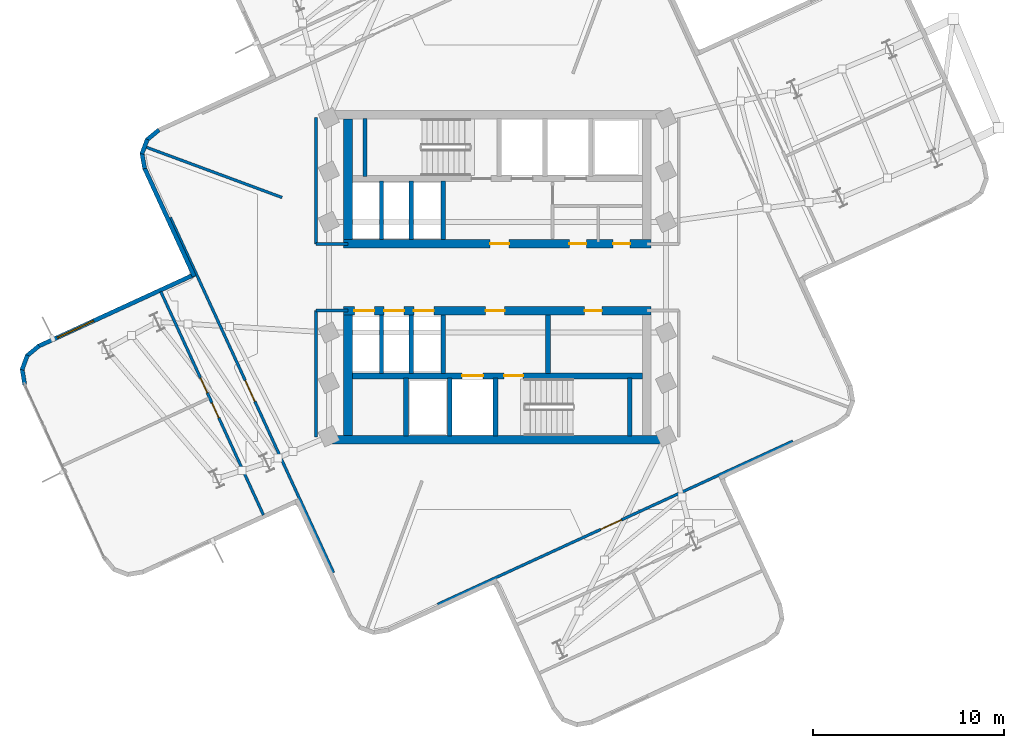
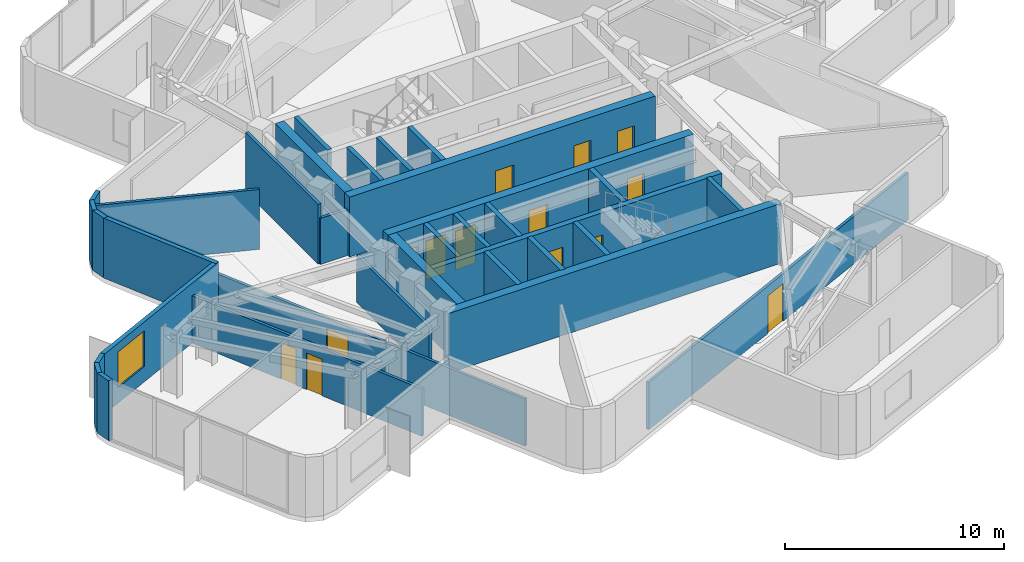
# One storey, part 6 of 11: 34 walls, 14 doors, 1 window, 15 openings.
"""IFC4 building model written with IfcOpenShell, lengths in metres."""

from ifc_helpers import new_model, si_unit, direction, frame, frame_2d, origin, place, context, subcontext, project, spatial, rectangle, extrude, material, layer, layer_set, type_object, element, fill, save


model = new_model("IFC4")

# Units and contexts
model_context = context("Model", 3, precision=1e-05, world=origin(), true_north=direction((0.0, 1.0)))
body_context = subcontext(model_context, "Body", "Model", "MODEL_VIEW")
ifc_project = project(units=[si_unit("LENGTHUNIT", "METRE"), si_unit("AREAUNIT", "SQUARE_METRE"), si_unit("VOLUMEUNIT", "CUBIC_METRE"), si_unit("PLANEANGLEUNIT", "RADIAN"), si_unit("MASSUNIT", "GRAM", prefix="KILO")], contexts=[model_context])

# Site, building, storey
site_placement = place(None, origin())
site = spatial("IfcSite", under=ifc_project, at=site_placement, CompositionType="ELEMENT")
building_placement = place(site_placement, origin())
building = spatial("IfcBuilding", under=site, at=building_placement, Name="Solmarez Civic Tower", CompositionType="ELEMENT")
storey_placement = place(building_placement, frame((0.0, 0.0, 184.679931640625)))
storey = spatial("IfcBuildingStorey", under=building, at=storey_placement, Name="L49", CompositionType="ELEMENT", Elevation=184.679931640625)

# Wall, openings, doors
ifc_material_1 = material(Name="Concrete C50/60", Category="concrete")
ifc_layer_1 = layer(ifc_material_1, 0.449951171875)
ifc_layer_set_1 = layer_set([ifc_layer_1], Name="Concrete C50/60")
wall_type_1 = type_object("IfcWallType", Name="WALL-CORE-450", PredefinedType="SHEAR", material=ifc_layer_set_1)
wall_1_placement = place(storey_placement, frame((8.070068359375, 1.75, 0.0), z_axis=(0.0, 0.0, 1.0), x_axis=(-1.0, 0.0, 0.0)))
wall_1 = element("IfcWall", 1, at=wall_1_placement, inside=storey, type_object=wall_type_1, Name="L49 Split-Core Structural Wall NCW-S-L49", PredefinedType="SHEAR", context=body_context, shape_type="SweptSolid", body=[
    extrude(rectangle(XDim=16.14013671875, YDim=0.449951171875, at=frame_2d((8.070068359375, 0.0))), origin(), (0.0, 0.0, 1.0), 3.340087890625),
])
opening_1_placement = place(wall_1_placement, frame((7.449951171875, 0.0, 0.0)))
opening_1 = element("IfcOpeningElement", 2, at=opening_1_placement, cuts=wall_1, Name="Opening D-04", PredefinedType="OPENING", context=body_context, shape_type="SweptSolid", body=[
    extrude(rectangle(XDim=1.0, YDim=2.10009765625, at=frame_2d((0.5, 1.050048828125))), frame((0.0, 0.23486328125, 0.0), z_axis=(0.0, -1.0, 0.0), x_axis=(1.0, 0.0, 0.0)), (0.0, 0.0, 1.0), 0.469970703125),
])
opening_2_placement = place(wall_1_placement, frame((3.39990234375, 0.0, 0.0)))
opening_2 = element("IfcOpeningElement", 3, at=opening_2_placement, cuts=wall_1, Name="Opening D-09", PredefinedType="OPENING", context=body_context, shape_type="SweptSolid", body=[
    extrude(rectangle(XDim=0.89990234375, YDim=2.06005859375, at=frame_2d((0.449951171875, 1.030029296875))), frame((0.0, 0.23486328125, 0.0), z_axis=(0.0, -1.0, 0.0), x_axis=(1.0, 0.0, 0.0)), (0.0, 0.0, 1.0), 0.469970703125),
])
opening_3_placement = place(wall_1_placement, frame((1.10009765625, 0.0, 0.0)))
opening_3 = element("IfcOpeningElement", 4, at=opening_3_placement, cuts=wall_1, Name="Opening D-09", PredefinedType="OPENING", context=body_context, shape_type="SweptSolid", body=[
    extrude(rectangle(XDim=0.89990234375, YDim=2.06005859375, at=frame_2d((0.449951171875, 1.030029296875))), frame((0.0, 0.23486328125, 0.0), z_axis=(0.0, -1.0, 0.0), x_axis=(1.0, 0.0, 0.0)), (0.0, 0.0, 1.0), 0.469970703125),
])
ifc_material_2 = material(Name="Steel-Faced Acoustic Fire Door", Category="steel")
door_type_1 = type_object("IfcDoorType", Name="DOOR-FD60-1000", OperationType="NOTDEFINED", PredefinedType="DOOR", material=ifc_material_2)
door_1_placement = place(opening_1_placement, origin())
door_1 = element("IfcDoor", 5, at=door_1_placement, inside=storey, type_object=door_type_1, Name="L49 North Firefighting Lobby Door", OperationType="SINGLE_SWING_RIGHT", OverallHeight=2.10009765625, OverallWidth=1.0, PredefinedType="DOOR", context=body_context, shape_type="SweptSolid", body=[
    extrude(rectangle(XDim=1.0, YDim=2.10009765625, at=frame_2d((0.5, 1.050048828125))), frame((0.0, 0.02490234375, 0.0), z_axis=(0.0, -1.0, 0.0), x_axis=(1.0, 0.0, 0.0)), (0.0, 0.0, 1.0), 0.050048828125),
])
fill(opening_1, door_1)
ifc_material_3 = material(Name="Fire-Rated Service Core Door", Category="wood")
door_type_2 = type_object("IfcDoorType", Name="DOOR-FD60-900", OperationType="NOTDEFINED", PredefinedType="DOOR", material=ifc_material_3)
door_2_placement = place(opening_2_placement, origin())
door_2 = element("IfcDoor", 6, at=door_2_placement, inside=storey, type_object=door_type_2, Name="L49 Core WC Door", OperationType="SINGLE_SWING_LEFT", OverallHeight=2.06005859375, OverallWidth=0.89990234375, PredefinedType="DOOR", context=body_context, shape_type="SweptSolid", body=[
    extrude(rectangle(XDim=0.89990234375, YDim=2.06005859375, at=frame_2d((0.449951171875, 1.030029296875))), frame((0.0, 0.02490234375, 0.0), z_axis=(0.0, -1.0, 0.0), x_axis=(1.0, 0.0, 0.0)), (0.0, 0.0, 1.0), 0.050048828125),
])
fill(opening_2, door_2)
door_3_placement = place(opening_3_placement, origin())
door_3 = element("IfcDoor", 7, at=door_3_placement, inside=storey, type_object=door_type_2, Name="L49 Core CL Door", OperationType="SINGLE_SWING_RIGHT", OverallHeight=2.06005859375, OverallWidth=0.89990234375, PredefinedType="DOOR", context=body_context, shape_type="SweptSolid", body=[
    extrude(rectangle(XDim=0.89990234375, YDim=2.06005859375, at=frame_2d((0.449951171875, 1.030029296875))), frame((0.0, 0.02490234375, 0.0), z_axis=(0.0, -1.0, 0.0), x_axis=(1.0, 0.0, 0.0)), (0.0, 0.0, 1.0), 0.050048828125),
])
fill(opening_3, door_3)

# Walls
wall_2_placement = place(storey_placement, frame((-7.844970703125, 1.97509765625, 0.0), z_axis=(0.0, 0.0, 1.0), x_axis=(0.0, 1.0, 0.0)))
element("IfcWall", 8, at=wall_2_placement, inside=storey, type_object=wall_type_1, Name="L49 Split-Core Structural Wall NCW-W-L49", PredefinedType="SHEAR", context=body_context, shape_type="SweptSolid", body=[
    extrude(rectangle(XDim=6.3349609375, YDim=0.449951171875, at=frame_2d((3.16748046875, 0.0))), origin(), (0.0, 0.0, 1.0), 3.340087890625),
])
wall_3_placement = place(storey_placement, frame((8.780029296875, -8.534912109375, 0.0), z_axis=(0.0, 0.0, 1.0), x_axis=(-1.0, 0.0, 0.0)))
element("IfcWall", 9, at=wall_3_placement, inside=storey, type_object=wall_type_1, Name="L49 Split-Core Structural Wall SCW-S-L49", PredefinedType="SHEAR", context=body_context, shape_type="SweptSolid", body=[
    extrude(rectangle(XDim=17.56005859375, YDim=0.449951171875, at=frame_2d((8.780029296875, 0.0))), origin(), (0.0, 0.0, 1.0), 3.340087890625),
])

# Wall, openings, doors
wall_4_placement = place(storey_placement, frame((-8.070068359375, -1.75, 0.0), z_axis=(0.0, 0.0, 1.0), x_axis=(1.0, 0.0, 0.0)))
wall_4 = element("IfcWall", 10, at=wall_4_placement, inside=storey, type_object=wall_type_1, Name="L49 Split-Core Structural Wall SCW-N-L49", PredefinedType="SHEAR", context=body_context, shape_type="SweptSolid", body=[
    extrude(rectangle(XDim=16.14013671875, YDim=0.449951171875, at=frame_2d((8.070068359375, 0.0))), origin(), (0.0, 0.0, 1.0), 3.340087890625),
])
opening_4_placement = place(wall_4_placement, frame((7.449951171875, 0.0, 0.0)))
opening_4 = element("IfcOpeningElement", 11, at=opening_4_placement, cuts=wall_4, Name="Opening D-04", PredefinedType="OPENING", context=body_context, shape_type="SweptSolid", body=[
    extrude(rectangle(XDim=1.0, YDim=2.10009765625, at=frame_2d((0.5, 1.050048828125))), frame((0.0, 0.23486328125, 0.0), z_axis=(0.0, -1.0, 0.0), x_axis=(1.0, 0.0, 0.0)), (0.0, 0.0, 1.0), 0.469970703125),
])
opening_5_placement = place(wall_4_placement, frame((12.64990234375, 0.0, 0.0)))
opening_5 = element("IfcOpeningElement", 12, at=opening_5_placement, cuts=wall_4, Name="Opening D-09", PredefinedType="OPENING", context=body_context, shape_type="SweptSolid", body=[
    extrude(rectangle(XDim=0.89990234375, YDim=2.06005859375, at=frame_2d((0.449951171875, 1.030029296875))), frame((0.0, 0.23486328125, 0.0), z_axis=(0.0, -1.0, 0.0), x_axis=(1.0, 0.0, 0.0)), (0.0, 0.0, 1.0), 0.469970703125),
])
opening_6_placement = place(wall_4_placement, frame((0.56494140625, 0.0, 0.0)))
opening_6 = element("IfcOpeningElement", 13, at=opening_6_placement, cuts=wall_4, Name="Opening LD-01", PredefinedType="OPENING", context=body_context, shape_type="SweptSolid", body=[
    extrude(rectangle(XDim=1.050048828125, YDim=2.14990234375, at=frame_2d((0.52490234375, 1.074951171875))), frame((0.0, 0.23486328125, 0.0), z_axis=(0.0, -1.0, 0.0), x_axis=(1.0, 0.0, 0.0)), (0.0, 0.0, 1.0), 0.469970703125),
])
opening_7_placement = place(wall_4_placement, frame((2.125, 0.0, 0.0)))
opening_7 = element("IfcOpeningElement", 14, at=opening_7_placement, cuts=wall_4, Name="Opening LD-01", PredefinedType="OPENING", context=body_context, shape_type="SweptSolid", body=[
    extrude(rectangle(XDim=1.050048828125, YDim=2.14990234375, at=frame_2d((0.52490234375, 1.074951171875))), frame((0.0, 0.23486328125, 0.0), z_axis=(0.0, -1.0, 0.0), x_axis=(1.0, 0.0, 0.0)), (0.0, 0.0, 1.0), 0.469970703125),
])
opening_8_placement = place(wall_4_placement, frame((3.68505859375, 0.0, 0.0)))
opening_8 = element("IfcOpeningElement", 15, at=opening_8_placement, cuts=wall_4, Name="Opening LD-01", PredefinedType="OPENING", context=body_context, shape_type="SweptSolid", body=[
    extrude(rectangle(XDim=1.050048828125, YDim=2.14990234375, at=frame_2d((0.52490234375, 1.074951171875))), frame((0.0, 0.23486328125, 0.0), z_axis=(0.0, -1.0, 0.0), x_axis=(1.0, 0.0, 0.0)), (0.0, 0.0, 1.0), 0.469970703125),
])
door_4_placement = place(opening_4_placement, origin())
door_4 = element("IfcDoor", 16, at=door_4_placement, inside=storey, type_object=door_type_1, Name="L49 South Firefighting Lobby Door", OperationType="SINGLE_SWING_LEFT", OverallHeight=2.10009765625, OverallWidth=1.0, PredefinedType="DOOR", context=body_context, shape_type="SweptSolid", body=[
    extrude(rectangle(XDim=1.0, YDim=2.10009765625, at=frame_2d((0.5, 1.050048828125))), frame((0.0, 0.02490234375, 0.0), z_axis=(0.0, -1.0, 0.0), x_axis=(1.0, 0.0, 0.0)), (0.0, 0.0, 1.0), 0.050048828125),
])
fill(opening_4, door_4)
door_5_placement = place(opening_5_placement, origin())
door_5 = element("IfcDoor", 17, at=door_5_placement, inside=storey, type_object=door_type_2, Name="L49 Freed Hoistway Mailroom Door", OperationType="SINGLE_SWING_LEFT", OverallHeight=2.06005859375, OverallWidth=0.89990234375, PredefinedType="DOOR", context=body_context, shape_type="SweptSolid", body=[
    extrude(rectangle(XDim=0.89990234375, YDim=2.06005859375, at=frame_2d((0.449951171875, 1.030029296875))), frame((0.0, 0.02490234375, 0.0), z_axis=(0.0, -1.0, 0.0), x_axis=(1.0, 0.0, 0.0)), (0.0, 0.0, 1.0), 0.050048828125),
])
fill(opening_5, door_5)
ifc_material_4 = material(Name="Bronze Passenger Lift Landing Sliding Door", Category="aluminium")
door_type_3 = type_object("IfcDoorType", Name="DOOR-LD-PAX-1050", OperationType="DOUBLE_DOOR_SLIDING", PredefinedType="DOOR", material=ifc_material_4)
door_6_placement = place(opening_6_placement, origin())
door_6 = element("IfcDoor", 18, at=door_6_placement, inside=storey, type_object=door_type_3, Name="L49 Mid-Rise Lift Landing Door PL-M1", OperationType="DOUBLE_DOOR_SLIDING", OverallHeight=2.14990234375, OverallWidth=1.050048828125, PredefinedType="DOOR", context=body_context, shape_type="SweptSolid", body=[
    extrude(rectangle(XDim=1.050048828125, YDim=2.14990234375, at=frame_2d((0.52490234375, 1.074951171875))), frame((0.0, 0.02490234375, 0.0), z_axis=(0.0, -1.0, 0.0), x_axis=(1.0, 0.0, 0.0)), (0.0, 0.0, 1.0), 0.050048828125),
])
fill(opening_6, door_6)
door_7_placement = place(opening_7_placement, origin())
door_7 = element("IfcDoor", 19, at=door_7_placement, inside=storey, type_object=door_type_3, Name="L49 Mid-Rise Lift Landing Door PL-M2", OperationType="DOUBLE_DOOR_SLIDING", OverallHeight=2.14990234375, OverallWidth=1.050048828125, PredefinedType="DOOR", context=body_context, shape_type="SweptSolid", body=[
    extrude(rectangle(XDim=1.050048828125, YDim=2.14990234375, at=frame_2d((0.52490234375, 1.074951171875))), frame((0.0, 0.02490234375, 0.0), z_axis=(0.0, -1.0, 0.0), x_axis=(1.0, 0.0, 0.0)), (0.0, 0.0, 1.0), 0.050048828125),
])
fill(opening_7, door_7)
door_8_placement = place(opening_8_placement, origin())
door_8 = element("IfcDoor", 20, at=door_8_placement, inside=storey, type_object=door_type_3, Name="L49 Mid-Rise Lift Landing Door PL-M3", OperationType="DOUBLE_DOOR_SLIDING", OverallHeight=2.14990234375, OverallWidth=1.050048828125, PredefinedType="DOOR", context=body_context, shape_type="SweptSolid", body=[
    extrude(rectangle(XDim=1.050048828125, YDim=2.14990234375, at=frame_2d((0.52490234375, 1.074951171875))), frame((0.0, 0.02490234375, 0.0), z_axis=(0.0, -1.0, 0.0), x_axis=(1.0, 0.0, 0.0)), (0.0, 0.0, 1.0), 0.050048828125),
])
fill(opening_8, door_8)

# Walls
wall_5_placement = place(storey_placement, frame((-7.844970703125, -8.31005859375, 0.0), z_axis=(0.0, 0.0, 1.0), x_axis=(0.0, 1.0, 0.0)))
element("IfcWall", 21, at=wall_5_placement, inside=storey, type_object=wall_type_1, Name="L49 Split-Core Structural Wall SCW-W-L49", PredefinedType="SHEAR", context=body_context, shape_type="SweptSolid", body=[
    extrude(rectangle(XDim=6.3349609375, YDim=0.449951171875, at=frame_2d((3.16748046875, 0.0))), origin(), (0.0, 0.0, 1.0), 3.340087890625),
])
ifc_material_5 = material(Name="Precast concrete C40/50", Category="concrete")
ifc_layer_2 = layer(ifc_material_5, 0.219970703125)
ifc_layer_set_2 = layer_set([ifc_layer_2], Name="Precast concrete C40/50")
wall_type_2 = type_object("IfcWallType", Name="WALL-EXT-220", PredefinedType="SOLIDWALL", material=ifc_layer_set_2)
wall_6_placement = place(storey_placement, frame((-24.81103515625, -5.633056640625, 0.0), z_axis=(0.0, 0.0, 1.0), x_axis=(-0.167575597201, 0.985859228908, 0.0)))
element("IfcWall", 22, at=wall_6_placement, inside=storey, type_object=wall_type_2, Name="L49 Exterior Precast Wall 7", PredefinedType="SOLIDWALL", context=body_context, shape_type="SweptSolid", body=[
    extrude(rectangle(XDim=0.834716796875, YDim=0.219970703125, at=frame_2d((0.41748046875, 0.0))), origin(), (0.0, 0.0, 1.0), 3.340087890625),
])
wall_7_placement = place(storey_placement, frame((-24.9560546875, -4.85791015625, 0.0), z_axis=(0.0, 0.0, 1.0), x_axis=(0.348538641681, 0.937294412261, 0.0)))
element("IfcWall", 23, at=wall_7_placement, inside=storey, type_object=wall_type_2, Name="L49 Exterior Precast Wall 8", PredefinedType="SOLIDWALL", context=body_context, shape_type="SweptSolid", body=[
    extrude(rectangle(XDim=0.818115234375, YDim=0.219970703125, at=frame_2d((0.4091796875, 0.0))), origin(), (0.0, 0.0, 1.0), 3.340087890625),
])
wall_8_placement = place(storey_placement, frame((-24.698974609375, -4.1298828125, 0.0), z_axis=(0.0, 0.0, 1.0), x_axis=(0.769466854359, 0.638686746413, 0.0)))
element("IfcWall", 24, at=wall_8_placement, inside=storey, type_object=wall_type_2, Name="L49 Exterior Precast Wall 9", PredefinedType="SOLIDWALL", context=body_context, shape_type="SweptSolid", body=[
    extrude(rectangle(XDim=0.83447265625, YDim=0.219970703125, at=frame_2d((0.417236328125, 0.0))), origin(), (0.0, 0.0, 1.0), 3.340087890625),
])

# Wall, opening, window
wall_9_placement = place(storey_placement, frame((-24.09912109375, -3.623046875, 0.0), z_axis=(0.0, 0.0, 1.0), x_axis=(0.908673527814, 0.417507388977, 0.0)))
wall_9 = element("IfcWall", 25, at=wall_9_placement, inside=storey, type_object=wall_type_2, Name="L49 Exterior Precast Wall 10", PredefinedType="SOLIDWALL", context=body_context, shape_type="SweptSolid", body=[
    extrude(rectangle(XDim=9.05859375, YDim=0.219970703125, at=frame_2d((4.529296875, 0.0))), origin(), (0.0, 0.0, 1.0), 3.340087890625),
])
opening_9_placement = place(wall_9_placement, frame((1.10009765625, 0.0, 0.85009765625)))
opening_9 = element("IfcOpeningElement", 26, at=opening_9_placement, cuts=wall_9, Name="Opening W-03", PredefinedType="OPENING", context=body_context, shape_type="SweptSolid", body=[
    extrude(rectangle(XDim=2.10009765625, YDim=2.0, at=frame_2d((1.050048828125, 1.0))), frame((0.0, 0.119873046875, 0.0), z_axis=(0.0, -1.0, 0.0), x_axis=(1.0, 0.0, 0.0)), (0.0, 0.0, 1.0), 0.239990234375),
])
ifc_material_6 = material(Name="Solar Control Bronze-Tinted Insulating Glass", Category="glass")
window_type = type_object("IfcWindowType", Name="WIN-2100X2000", PartitioningType="SINGLE_PANEL", PredefinedType="WINDOW", material=ifc_material_6)
window_placement = place(opening_9_placement, origin())
window = element("IfcWindow", 27, at=window_placement, inside=storey, type_object=window_type, Name="L49 Exterior Facade Window 10", OverallHeight=2.0, OverallWidth=2.10009765625, PartitioningType="SINGLE_PANEL", PredefinedType="WINDOW", context=body_context, shape_type="SweptSolid", body=[
    extrude(rectangle(XDim=2.10009765625, YDim=2.0, at=frame_2d((1.050048828125, 1.0))), frame((0.0, 0.030029296875, 0.0), z_axis=(0.0, -1.0, 0.0), x_axis=(1.0, 0.0, 0.0)), (0.0, 0.0, 1.0), 0.06005859375),
])
fill(opening_9, window)

# Walls
wall_10_placement = place(storey_placement, frame((-15.910888671875, 0.0419921875, 0.0), z_axis=(0.0, 0.0, 1.0), x_axis=(-0.417479344719, 0.908686412759, 0.0)))
element("IfcWall", 28, at=wall_10_placement, inside=storey, type_object=wall_type_2, Name="L49 Exterior Precast Wall 13", PredefinedType="SOLIDWALL", context=body_context, shape_type="SweptSolid", body=[
    extrude(rectangle(XDim=6.2783203125, YDim=0.219970703125, at=frame_2d((3.13916015625, 0.0))), origin(), (0.0, 0.0, 1.0), 3.340087890625),
])
wall_11_placement = place(storey_placement, frame((-18.51806640625, 5.698974609375, 0.0), z_axis=(0.0, 0.0, 1.0), x_axis=(-0.167382556682, 0.985892022342, 0.0)))
element("IfcWall", 29, at=wall_11_placement, inside=storey, type_object=wall_type_2, Name="L49 Exterior Precast Wall 14", PredefinedType="SOLIDWALL", context=body_context, shape_type="SweptSolid", body=[
    extrude(rectangle(XDim=0.835693359375, YDim=0.219970703125, at=frame_2d((0.41796875, 0.0))), origin(), (0.0, 0.0, 1.0), 3.340087890625),
])
wall_12_placement = place(storey_placement, frame((-18.6630859375, 6.47509765625, 0.0), z_axis=(0.0, 0.0, 1.0), x_axis=(0.348538641681, 0.937294412261, 0.0)))
element("IfcWall", 30, at=wall_12_placement, inside=storey, type_object=wall_type_2, Name="L49 Exterior Precast Wall 15", PredefinedType="SOLIDWALL", context=body_context, shape_type="SweptSolid", body=[
    extrude(rectangle(XDim=0.818115234375, YDim=0.219970703125, at=frame_2d((0.4091796875, 0.0))), origin(), (0.0, 0.0, 1.0), 3.340087890625),
])
wall_13_placement = place(storey_placement, frame((-18.406005859375, 7.202880859375, 0.0), z_axis=(0.0, 0.0, 1.0), x_axis=(0.769323077261, 0.638859924235, 0.0)))
element("IfcWall", 31, at=wall_13_placement, inside=storey, type_object=wall_type_2, Name="L49 Exterior Precast Wall 16", PredefinedType="SOLIDWALL", context=body_context, shape_type="SweptSolid", body=[
    extrude(rectangle(XDim=0.834716796875, YDim=0.219970703125, at=frame_2d((0.41748046875, 0.0))), origin(), (0.0, 0.0, 1.0), 3.340087890625),
])
ifc_material_7 = material(Name="Gypsum Board Acoustic Steel-Stud Partition", Category="steel")
ifc_layer_3 = layer(ifc_material_7, 0.14990234375)
ifc_layer_set_3 = layer_set([ifc_layer_3], Name="Gypsum Board Acoustic Steel-Stud Partition")
wall_type_3 = type_object("IfcWallType", Name="WALL-INT-FIRE-150", PredefinedType="PARTITIONING", material=ifc_layer_set_3)
wall_14_placement = place(storey_placement, frame((-9.52001953125, 1.75, 0.0), z_axis=(0.0, 0.0, 1.0), x_axis=(0.0, 1.0, 0.0)))
element("IfcWall", 32, at=wall_14_placement, inside=storey, type_object=wall_type_3, Name="L49 Interior Partition CHW-L49-WN1", PredefinedType="PARTITIONING", context=body_context, shape_type="SweptSolid", body=[
    extrude(rectangle(XDim=6.6298828125, YDim=0.14990234375, at=frame_2d((3.31494140625, 0.0))), origin(), (0.0, 0.0, 1.0), 3.340087890625),
])
wall_15_placement = place(storey_placement, frame((-7.85009765625, 1.75, 0.0), z_axis=(0.0, 0.0, 1.0), x_axis=(-1.0, 0.0, 0.0)))
element("IfcWall", 33, at=wall_15_placement, inside=storey, type_object=wall_type_3, Name="L49 Interior Partition CHW-L49-WN3", PredefinedType="PARTITIONING", context=body_context, shape_type="SweptSolid", body=[
    extrude(rectangle(XDim=1.669921875, YDim=0.14990234375, at=frame_2d((0.8349609375, 0.0))), origin(), (0.0, 0.0, 1.0), 2.570068359375),
])
wall_16_placement = place(storey_placement, frame((-9.52001953125, -8.3798828125, 0.0), z_axis=(0.0, 0.0, 1.0), x_axis=(0.0, 1.0, 0.0)))
element("IfcWall", 34, at=wall_16_placement, inside=storey, type_object=wall_type_3, Name="L49 Interior Partition CHW-L49-WS1", PredefinedType="PARTITIONING", context=body_context, shape_type="SweptSolid", body=[
    extrude(rectangle(XDim=6.6298828125, YDim=0.14990234375, at=frame_2d((3.31494140625, 0.0))), origin(), (0.0, 0.0, 1.0), 2.64404296875),
])
wall_17_placement = place(storey_placement, frame((-7.85009765625, -1.75, 0.0), z_axis=(0.0, 0.0, 1.0), x_axis=(-1.0, 0.0, 0.0)))
element("IfcWall", 35, at=wall_17_placement, inside=storey, type_object=wall_type_3, Name="L49 Interior Partition CHW-L49-WS3", PredefinedType="PARTITIONING", context=body_context, shape_type="SweptSolid", body=[
    extrude(rectangle(XDim=1.669921875, YDim=0.14990234375, at=frame_2d((0.8349609375, 0.0))), origin(), (0.0, 0.0, 1.0), 2.570068359375),
])
ifc_layer_4 = layer(ifc_material_7, 0.14501953125)
ifc_layer_set_4 = layer_set([ifc_layer_4], Name="Gypsum Board Acoustic Steel-Stud Partition")
wall_type_4 = type_object("IfcWallType", Name="WALL-INT-PART-150", PredefinedType="PARTITIONING", material=ifc_layer_set_4)
wall_18_placement = place(storey_placement, frame((-11.300048828125, 4.18505859375, 0.0), z_axis=(0.0, 0.0, 1.0), x_axis=(-0.937797421925, 0.347182942311, 0.0)))
element("IfcWall", 36, at=wall_18_placement, inside=storey, type_object=wall_type_4, Name="L49 Interior Partition PT-L49-QDIV-2", PredefinedType="PARTITIONING", context=body_context, shape_type="SweptSolid", body=[
    extrude(rectangle(XDim=7.6240234375, YDim=0.14501953125, at=frame_2d((3.81201171875, 0.0))), origin(), (0.0, 0.0, 1.0), 3.340087890625),
])

# Wall, opening, door
wall_19_placement = place(storey_placement, frame((-8.60009765625, -15.508056640625, 0.0), z_axis=(0.0, 0.0, 1.0), x_axis=(-0.41757132443, 0.908644148726, 0.0)))
wall_19 = element("IfcWall", 37, at=wall_19_placement, inside=storey, type_object=wall_type_4, Name="L49 Interior Partition PT-L49-W-ENT", PredefinedType="PARTITIONING", context=body_context, shape_type="SweptSolid", body=[
    extrude(rectangle(XDim=20.520751953125, YDim=0.14501953125, at=frame_2d((10.26025390625, 0.0))), origin(), (0.0, 0.0, 1.0), 2.64404296875),
])
opening_10_placement = place(wall_19_placement, frame((9.89990234375, 0.0, 0.0)))
opening_10 = element("IfcOpeningElement", 38, at=opening_10_placement, cuts=wall_19, Name="Opening D-11", PredefinedType="OPENING", context=body_context, shape_type="SweptSolid", body=[
    extrude(rectangle(XDim=1.199951171875, YDim=2.10009765625, at=frame_2d((0.60009765625, 1.050048828125))), frame((0.0, 0.08251953125, 0.0), z_axis=(0.0, -1.0, 0.0), x_axis=(1.0, 0.0, 0.0)), (0.0, 0.0, 1.0), 0.1650390625),
])
ifc_material_8 = material(Name="Glazed-Vision Acoustic Chamber Door", Category="wood")
door_type_4 = type_object("IfcDoorType", Name="DOOR-INT-1200", OperationType="NOTDEFINED", PredefinedType="DOOR", material=ifc_material_8)
door_9_placement = place(opening_10_placement, origin())
door_9 = element("IfcDoor", 39, at=door_9_placement, inside=storey, type_object=door_type_4, Name="L49 Press Study Room First West Door", OperationType="SINGLE_SWING_LEFT", OverallHeight=2.10009765625, OverallWidth=1.199951171875, PredefinedType="DOOR", context=body_context, shape_type="SweptSolid", body=[
    extrude(rectangle(XDim=1.199951171875, YDim=2.10009765625, at=frame_2d((0.60009765625, 1.050048828125))), frame((0.0, 0.02490234375, 0.0), z_axis=(0.0, -1.0, 0.0), x_axis=(1.0, 0.0, 0.0)), (0.0, 0.0, 1.0), 0.050048828125),
])
fill(opening_10, door_9)

# Wall, openings, doors
wall_20_placement = place(storey_placement, frame((-17.669921875, -0.751953125, 0.0), z_axis=(0.0, 0.0, 1.0), x_axis=(0.41749974953, -0.908677037864, 0.0)))
wall_20 = element("IfcWall", 40, at=wall_20_placement, inside=storey, type_object=wall_type_4, Name="L49 Interior Partition PT-L49-W-SCUT", PredefinedType="PARTITIONING", context=body_context, shape_type="SweptSolid", body=[
    extrude(rectangle(XDim=12.909912109375, YDim=0.14501953125, at=frame_2d((6.455078125, 0.0))), origin(), (0.0, 0.0, 1.0), 2.64404296875),
])
opening_11_placement = place(wall_20_placement, frame((4.9951171875, 0.0, 0.0)))
opening_11 = element("IfcOpeningElement", 41, at=opening_11_placement, cuts=wall_20, Name="Opening D-14", PredefinedType="OPENING", context=body_context, shape_type="SweptSolid", body=[
    extrude(rectangle(XDim=0.860107421875, YDim=2.0400390625, at=frame_2d((0.43017578125, 1.02001953125))), frame((0.0, 0.08251953125, 0.0), z_axis=(0.0, -1.0, 0.0), x_axis=(1.0, 0.0, 0.0)), (0.0, 0.0, 1.0), 0.1650390625),
])
opening_12_placement = place(wall_20_placement, frame((6.43505859375, 0.0, 0.0)))
opening_12 = element("IfcOpeningElement", 42, at=opening_12_placement, cuts=wall_20, Name="Opening D-14", PredefinedType="OPENING", context=body_context, shape_type="SweptSolid", body=[
    extrude(rectangle(XDim=0.860107421875, YDim=2.0400390625, at=frame_2d((0.43017578125, 1.02001953125))), frame((0.0, 0.08251953125, 0.0), z_axis=(0.0, -1.0, 0.0), x_axis=(1.0, 0.0, 0.0)), (0.0, 0.0, 1.0), 0.1650390625),
])
ifc_material_9 = material(Name="Timber Storage and Pantry Door", Category="wood")
door_type_5 = type_object("IfcDoorType", Name="DOOR-INT-850", OperationType="NOTDEFINED", PredefinedType="DOOR", material=ifc_material_9)
door_10_placement = place(opening_11_placement, origin())
door_10 = element("IfcDoor", 43, at=door_10_placement, inside=storey, type_object=door_type_5, Name="L49 Public Exhibition Library Third West Door", OperationType="SINGLE_SWING_RIGHT", OverallHeight=2.0400390625, OverallWidth=0.860107421875, PredefinedType="DOOR", context=body_context, shape_type="SweptSolid", body=[
    extrude(rectangle(XDim=0.860107421875, YDim=2.0400390625, at=frame_2d((0.43017578125, 1.02001953125))), frame((0.0, 0.02490234375, 0.0), z_axis=(0.0, -1.0, 0.0), x_axis=(1.0, 0.0, 0.0)), (0.0, 0.0, 1.0), 0.050048828125),
])
fill(opening_11, door_10)
door_11_placement = place(opening_12_placement, origin())
door_11 = element("IfcDoor", 44, at=door_11_placement, inside=storey, type_object=door_type_5, Name="L49 Catering Pantry Second West Door", OperationType="SINGLE_SWING_LEFT", OverallHeight=2.0400390625, OverallWidth=0.860107421875, PredefinedType="DOOR", context=body_context, shape_type="SweptSolid", body=[
    extrude(rectangle(XDim=0.860107421875, YDim=2.0400390625, at=frame_2d((0.43017578125, 1.02001953125))), frame((0.0, 0.02490234375, 0.0), z_axis=(0.0, -1.0, 0.0), x_axis=(1.0, 0.0, 0.0)), (0.0, 0.0, 1.0), 0.050048828125),
])
fill(opening_12, door_11)

# Wall, opening, door
wall_21_placement = place(storey_placement, frame((15.508056640625, -8.60009765625, 0.0), z_axis=(0.0, 0.0, 1.0), x_axis=(-0.908644148726, -0.41757132443, 0.0)))
wall_21 = element("IfcWall", 45, at=wall_21_placement, inside=storey, type_object=wall_type_4, Name="L49 Interior Partition PT-L49-S-ENT", PredefinedType="PARTITIONING", context=body_context, shape_type="SweptSolid", body=[
    extrude(rectangle(XDim=20.520751953125, YDim=0.14501953125, at=frame_2d((10.26025390625, 0.0))), origin(), (0.0, 0.0, 1.0), 2.64404296875),
])
opening_13_placement = place(wall_21_placement, frame((9.89990234375, 0.0, 0.0)))
opening_13 = element("IfcOpeningElement", 46, at=opening_13_placement, cuts=wall_21, Name="Opening D-11", PredefinedType="OPENING", context=body_context, shape_type="SweptSolid", body=[
    extrude(rectangle(XDim=1.199951171875, YDim=2.10009765625, at=frame_2d((0.60009765625, 1.050048828125))), frame((0.0, 0.08251953125, 0.0), z_axis=(0.0, -1.0, 0.0), x_axis=(1.0, 0.0, 0.0)), (0.0, 0.0, 1.0), 0.1650390625),
])
door_12_placement = place(opening_13_placement, origin())
door_12 = element("IfcDoor", 47, at=door_12_placement, inside=storey, type_object=door_type_4, Name="L49 Catering Pantry First South Door", OperationType="SINGLE_SWING_LEFT", OverallHeight=2.10009765625, OverallWidth=1.199951171875, PredefinedType="DOOR", context=body_context, shape_type="SweptSolid", body=[
    extrude(rectangle(XDim=1.199951171875, YDim=2.10009765625, at=frame_2d((0.60009765625, 1.050048828125))), frame((0.0, 0.02490234375, 0.0), z_axis=(0.0, -1.0, 0.0), x_axis=(1.0, 0.0, 0.0)), (0.0, 0.0, 1.0), 0.050048828125),
])
fill(opening_13, door_12)

# Wall, openings, doors
ifc_layer_5 = layer(ifc_material_1, 0.300048828125)
ifc_layer_set_5 = layer_set([ifc_layer_5], Name="Concrete C50/60")
wall_type_5 = type_object("IfcWallType", Name="WALL-STR-300", PredefinedType="SOLIDWALL", material=ifc_layer_set_5)
wall_22_placement = place(storey_placement, frame((-7.6201171875, -5.179931640625, 0.0), z_axis=(0.0, 0.0, 1.0), x_axis=(1.0, 0.0, 0.0)))
wall_22 = element("IfcWall", 48, at=wall_22_placement, inside=storey, type_object=wall_type_5, Name="L49 Split-Core Structural Wall SCW-M-L49", PredefinedType="SOLIDWALL", context=body_context, shape_type="SweptSolid", body=[
    extrude(rectangle(XDim=15.240234375, YDim=0.300048828125, at=frame_2d((7.6201171875, 0.0))), origin(), (0.0, 0.0, 1.0), 3.340087890625),
])
opening_14_placement = place(wall_22_placement, frame((5.77001953125, 0.0, 0.0)))
opening_14 = element("IfcOpeningElement", 49, at=opening_14_placement, cuts=wall_22, Name="Opening LD-02", PredefinedType="OPENING", context=body_context, shape_type="SweptSolid", body=[
    extrude(rectangle(XDim=1.10009765625, YDim=2.14990234375, at=frame_2d((0.550048828125, 1.074951171875))), frame((0.0, 0.159912109375, 0.0), z_axis=(0.0, -1.0, 0.0), x_axis=(1.0, 0.0, 0.0)), (0.0, 0.0, 1.0), 0.320068359375),
])
opening_15_placement = place(wall_22_placement, frame((7.969970703125, 0.0, 0.0)))
opening_15 = element("IfcOpeningElement", 50, at=opening_15_placement, cuts=wall_22, Name="Opening D-05", PredefinedType="OPENING", context=body_context, shape_type="SweptSolid", body=[
    extrude(rectangle(XDim=1.0, YDim=2.10009765625, at=frame_2d((0.5, 1.050048828125))), frame((0.0, 0.159912109375, 0.0), z_axis=(0.0, -1.0, 0.0), x_axis=(1.0, 0.0, 0.0)), (0.0, 0.0, 1.0), 0.320068359375),
])
ifc_material_10 = material(Name="Fire-Rated Stairwell Exit Door", Category="wood")
door_type_6 = type_object("IfcDoorType", Name="DOOR-FD90-1000", OperationType="NOTDEFINED", PredefinedType="DOOR", material=ifc_material_10)
door_13_placement = place(opening_15_placement, origin())
door_13 = element("IfcDoor", 51, at=door_13_placement, inside=storey, type_object=door_type_6, Name="L49 South Exit Stair Door ST-2", OperationType="SINGLE_SWING_LEFT", OverallHeight=2.10009765625, OverallWidth=1.0, PredefinedType="DOOR", context=body_context, shape_type="SweptSolid", body=[
    extrude(rectangle(XDim=1.0, YDim=2.10009765625, at=frame_2d((0.5, 1.050048828125))), frame((0.0, 0.02490234375, 0.0), z_axis=(0.0, -1.0, 0.0), x_axis=(1.0, 0.0, 0.0)), (0.0, 0.0, 1.0), 0.050048828125),
])
fill(opening_15, door_13)
ifc_material_11 = material(Name="Stainless Firefighting Lift Landing Sliding Door", Category="aluminium")
door_type_7 = type_object("IfcDoorType", Name="DOOR-LD-FF-1100", OperationType="DOUBLE_DOOR_SLIDING", PredefinedType="DOOR", material=ifc_material_11)
door_14_placement = place(opening_14_placement, origin())
door_14 = element("IfcDoor", 52, at=door_14_placement, inside=storey, type_object=door_type_7, Name="L49 Firefighting Lift Landing Door FFL-2", OperationType="DOUBLE_DOOR_SLIDING", OverallHeight=2.14990234375, OverallWidth=1.10009765625, PredefinedType="DOOR", context=body_context, shape_type="SweptSolid", body=[
    extrude(rectangle(XDim=1.10009765625, YDim=2.14990234375, at=frame_2d((0.550048828125, 1.074951171875))), frame((0.0, 0.02490234375, 0.0), z_axis=(0.0, -1.0, 0.0), x_axis=(1.0, 0.0, 0.0)), (0.0, 0.0, 1.0), 0.050048828125),
])
fill(opening_14, door_14)

# Walls
for number, where, z_axis, x_axis, name in (
    (53, (-6.949951171875, 5.280029296875, 0.0), (0.0, 0.0, 1.0), (0.0, 1.0, 0.0), "L49 Split-Core Structural Wall SHW-NW-L49"),
    (54, (6.949951171875, -8.340087890625, 0.0), (0.0, 0.0, 1.0), (0.0, 1.0, 0.0), "L49 Split-Core Structural Wall SHW-SE-L49"),
):
    element("IfcWall", number, at=place(storey_placement, frame(where, z_axis=z_axis, x_axis=x_axis)), inside=storey, type_object=wall_type_5, Name=name, PredefinedType="SOLIDWALL", context=body_context, shape_type="SweptSolid", body=[
        extrude(rectangle(XDim=3.06005859375, YDim=0.219970703125, at=frame_2d((1.530029296875, 0.0))), origin(), (0.0, 0.0, 1.0), 3.340087890625),
    ])
wall_23_placement = place(storey_placement, frame((-2.85009765625, 1.97998046875, 0.0), z_axis=(0.0, 0.0, 1.0), x_axis=(0.0, 1.0, 0.0)))
element("IfcWall", 55, at=wall_23_placement, inside=storey, type_object=wall_type_5, Name="L49 Split-Core Structural Wall SHW-NL1-L49", PredefinedType="SOLIDWALL", context=body_context, shape_type="SweptSolid", body=[
    extrude(rectangle(XDim=3.070068359375, YDim=0.25, at=frame_2d((1.53515625, 0.0))), origin(), (0.0, 0.0, 1.0), 3.340087890625),
])
for number, where, z_axis, x_axis, name in (
    (56, (-0.10009765625, -8.340087890625, 0.0), (0.0, 0.0, 1.0), (0.0, 1.0, 0.0), "L49 Split-Core Structural Wall SHW-S1-L49"),
    (57, (-2.5, -8.340087890625, 0.0), (0.0, 0.0, 1.0), (0.0, 1.0, 0.0), "L49 Split-Core Structural Wall SHW-S2-L49"),
    (58, (-4.800048828125, -8.340087890625, 0.0), (0.0, 0.0, 1.0), (0.0, 1.0, 0.0), "L49 Split-Core Structural Wall SHW-S3-L49"),
):
    element("IfcWall", number, at=place(storey_placement, frame(where, z_axis=z_axis, x_axis=x_axis)), inside=storey, type_object=wall_type_5, Name=name, PredefinedType="SOLIDWALL", context=body_context, shape_type="SweptSolid", body=[
        extrude(rectangle(XDim=3.0400390625, YDim=0.25, at=frame_2d((1.52001953125, 0.0))), origin(), (0.0, 0.0, 1.0), 3.340087890625),
    ])
for number, where, z_axis, x_axis, name in (
    (59, (-2.85009765625, -5.050048828125, 0.0), (0.0, 0.0, 1.0), (0.0, 1.0, 0.0), "L49 Split-Core Structural Wall SHW-SL1-L49"),
    (60, (2.64990234375, -5.050048828125, 0.0), (0.0, 0.0, 1.0), (0.0, 1.0, 0.0), "L49 Split-Core Structural Wall SHW-SL2-L49"),
):
    element("IfcWall", number, at=place(storey_placement, frame(where, z_axis=z_axis, x_axis=x_axis)), inside=storey, type_object=wall_type_5, Name=name, PredefinedType="SOLIDWALL", context=body_context, shape_type="SweptSolid", body=[
        extrude(rectangle(XDim=3.070068359375, YDim=0.25, at=frame_2d((1.53515625, 0.0))), origin(), (0.0, 0.0, 1.0), 3.340087890625),
    ])
for number, where, z_axis, x_axis, name in (
    (61, (-6.080078125, 1.97998046875, 0.0), (0.0, 0.0, 1.0), (0.0, 1.0, 0.0), "L49 Split-Core Structural Wall SHW-PLH-L49-1"),
    (62, (-4.52001953125, 1.97998046875, 0.0), (0.0, 0.0, 1.0), (0.0, 1.0, 0.0), "L49 Split-Core Structural Wall SHW-PLH-L49-2"),
    (63, (-6.080078125, -5.050048828125, 0.0), (0.0, 0.0, 1.0), (0.0, 1.0, 0.0), "L49 Split-Core Structural Wall SHW-PLM-L49-1"),
    (64, (-4.52001953125, -5.050048828125, 0.0), (0.0, 0.0, 1.0), (0.0, 1.0, 0.0), "L49 Split-Core Structural Wall SHW-PLM-L49-2"),
):
    element("IfcWall", number, at=place(storey_placement, frame(where, z_axis=z_axis, x_axis=x_axis)), inside=storey, type_object=wall_type_5, Name=name, PredefinedType="SOLIDWALL", context=body_context, shape_type="SweptSolid", body=[
        extrude(rectangle(XDim=3.070068359375, YDim=0.219970703125, at=frame_2d((1.53515625, 0.0))), origin(), (0.0, 0.0, 1.0), 3.340087890625),
    ])

save(model, "model.ifc")
